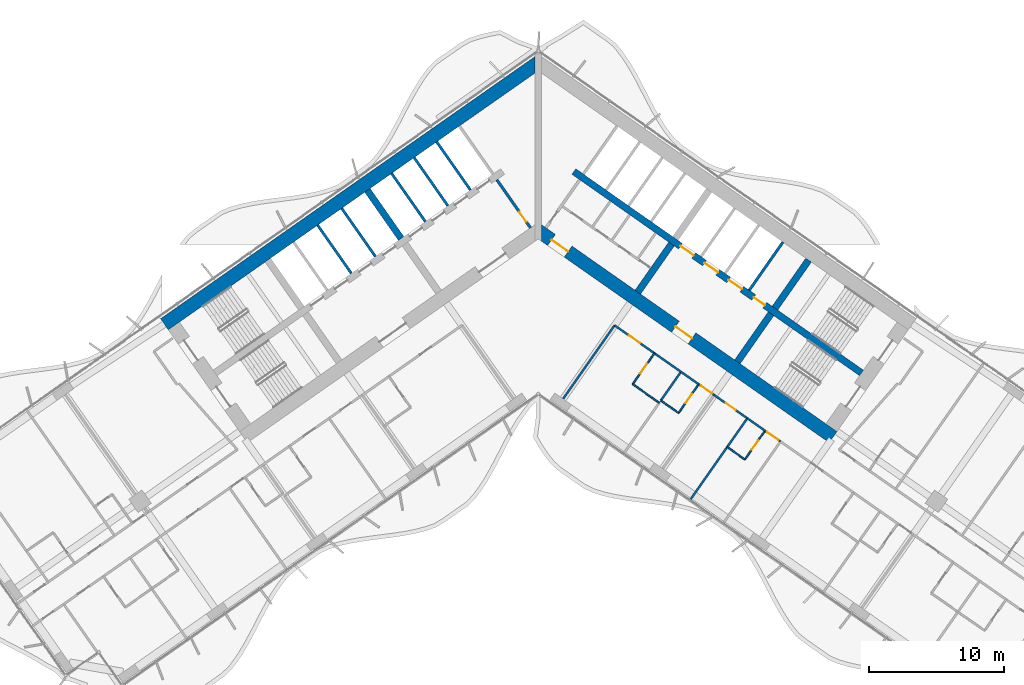
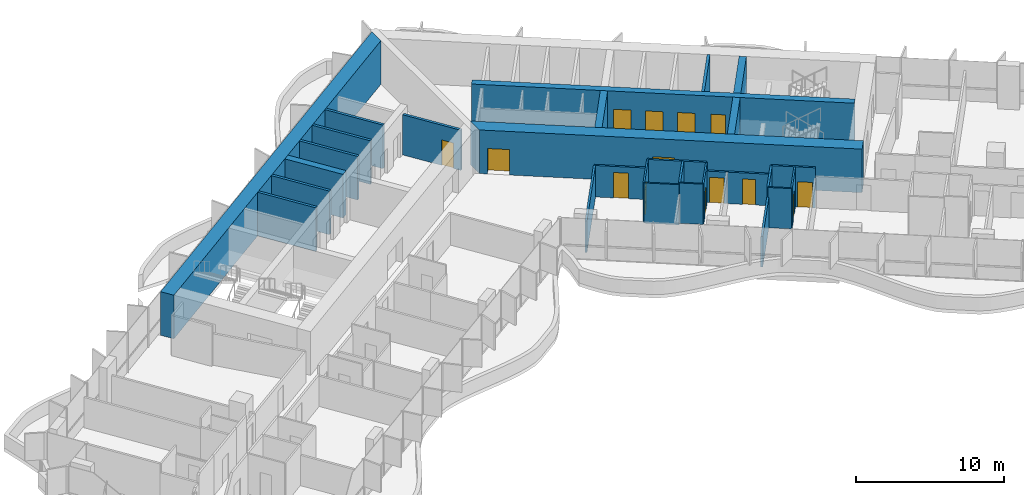
# One storey, part 15 of 24: 31 walls, 14 doors, 14 openings.
"""IFC4 building model written with IfcOpenShell, lengths in metres."""

from ifc_helpers import new_model, si_unit, direction, frame, frame_2d, origin, place, context, subcontext, project, spatial, polyline, rectangle, outline, extrude, material, layer, layer_set, type_object, element, fill, save


model = new_model("IFC4")

# Units and contexts
model_context = context("Model", 3, precision=1e-05, world=origin(), true_north=direction((0.0, 1.0)))
body_context = subcontext(model_context, "Body", "Model", "MODEL_VIEW")
ifc_project = project(units=[si_unit("LENGTHUNIT", "METRE"), si_unit("AREAUNIT", "SQUARE_METRE"), si_unit("VOLUMEUNIT", "CUBIC_METRE"), si_unit("PLANEANGLEUNIT", "RADIAN"), si_unit("MASSUNIT", "GRAM", prefix="KILO")], contexts=[model_context])

# Site, building, storey
site_placement = place(None, origin())
site = spatial("IfcSite", under=ifc_project, at=site_placement, CompositionType="ELEMENT")
building_placement = place(site_placement, origin())
building = spatial("IfcBuilding", under=site, at=building_placement, Name="Tel Ilan Convention Tower", CompositionType="ELEMENT")
storey_placement = place(building_placement, frame((0.0, 0.0, 68.89990234375)))
storey = spatial("IfcBuildingStorey", under=building, at=storey_placement, Name="L12", CompositionType="ELEMENT", Elevation=68.89990234375)

# Wall, opening, door
ifc_material_1 = material(Name="Concrete C30/37", Category="concrete")
ifc_layer_1 = layer(ifc_material_1, 0.199951171875)
ifc_layer_set_1 = layer_set([ifc_layer_1], Name="Core Service Room Wall 200 mm C30/37")
wall_type_1 = type_object("IfcWallType", Name="Core Service Room Wall 200 mm C30/37", PredefinedType="SOLIDWALL", material=ifc_layer_set_1)
wall_1_placement = place(storey_placement, frame((-0.573486328125, -0.401611328125, 0.0), z_axis=(0.0, 0.0, 1.0), x_axis=(-0.57356780395, 0.819158088694, 0.0)))
wall_1 = element("IfcWall", 1, at=wall_1_placement, inside=storey, type_object=wall_type_1, Name="L12 core wall apex-W", PredefinedType="SOLIDWALL", context=body_context, shape_type="SweptSolid", body=[
    extrude(rectangle(XDim=4.35009765625, YDim=0.199951171875, at=frame_2d((2.175048828125, 0.0))), origin(), (0.0, 0.0, 1.0), 3.320068359375),
])
opening_1_placement = place(wall_1_placement, frame((0.550048828125, 0.0, 0.0)))
opening_1 = element("IfcOpeningElement", 2, at=opening_1_placement, cuts=wall_1, Name="Opening CD1202", PredefinedType="OPENING", context=body_context, shape_type="SweptSolid", body=[
    extrude(rectangle(XDim=0.89990234375, YDim=2.10009765625, at=frame_2d((0.449951171875, 1.050048828125))), frame((0.0, 0.10986328125, 0.0), z_axis=(0.0, -1.0, 0.0), x_axis=(1.0, 0.0, 0.0)), (0.0, 0.0, 1.0), 0.219970703125),
])
ifc_material_2 = material(Name="Galvanised Steel Door Leaf", Category="steel")
door_type_1 = type_object("IfcDoorType", Name="Service Room Door 900 x 2100 FD60", OperationType="NOTDEFINED", PredefinedType="DOOR", material=ifc_material_2)
door_1_placement = place(opening_1_placement, origin())
door_1 = element("IfcDoor", 3, at=door_1_placement, inside=storey, type_object=door_type_1, Name="Telecom Room door", OperationType="SINGLE_SWING_RIGHT", OverallHeight=2.10009765625, OverallWidth=0.89990234375, PredefinedType="DOOR", context=body_context, shape_type="SweptSolid", body=[
    extrude(rectangle(XDim=0.89990234375, YDim=2.10009765625, at=frame_2d((0.449951171875, 1.050048828125))), frame((0.0, 0.02490234375, 0.0), z_axis=(0.0, -1.0, 0.0), x_axis=(1.0, 0.0, 0.0)), (0.0, 0.0, 1.0), 0.050048828125),
])
fill(opening_1, door_1)

# Wall
ifc_material_3 = material(Name="Concrete C60/75", Category="concrete")
ifc_layer_2 = layer(ifc_material_3, 1.0)
ifc_layer_set_2 = layer_set([ifc_layer_2], Name="Core Shear Wall 1000 mm C60/75")
wall_type_2 = type_object("IfcWallType", Name="Core Shear Wall 1000 mm C60/75", PredefinedType="SHEAR", material=ifc_layer_set_2)
wall_2_placement = place(storey_placement, frame((0.036865234375, 11.8671875, 0.0), z_axis=(0.0, 0.0, 1.0), x_axis=(-0.819155306259, -0.573571777746, 0.0)))
element("IfcWall", 4, at=wall_2_placement, inside=storey, type_object=wall_type_2, Name="L12 core wall W-back", PredefinedType="SHEAR", context=body_context, shape_type="SweptSolid", body=[
    extrude(outline(polyline([(33.8369140625, 0.5), (0.7001953125, 0.499755859375), (0.0, -0.5), (33.8369140625, -0.5), (33.8369140625, 0.5)])), origin(), (0.0, 0.0, 1.0), 3.60009765625),
])

# Wall, openings, doors
wall_3_placement = place(storey_placement, frame((-0.036865234375, -0.584716796875, 0.0), z_axis=(0.0, 0.0, 1.0), x_axis=(0.819157152511, -0.573569140985, 0.0)))
wall_3 = element("IfcWall", 5, at=wall_3_placement, inside=storey, type_object=wall_type_2, Name="L12 core wall E-front", PredefinedType="SHEAR", context=body_context, shape_type="SweptSolid", body=[
    extrude(outline(polyline([(26.69482421875, 0.499755859375), (0.0, 0.5), (0.7001953125, -0.499755859375), (26.69482421875, -0.500244140625), (26.69482421875, 0.499755859375)])), origin(), (0.0, 0.0, 1.0), 3.60009765625),
])
opening_2_placement = place(wall_3_placement, frame((1.244873046875, 0.0, 0.0)))
opening_2 = element("IfcOpeningElement", 6, at=opening_2_placement, cuts=wall_3, Name="Opening CD1203", PredefinedType="OPENING", context=body_context, shape_type="SweptSolid", body=[
    extrude(rectangle(XDim=1.5, YDim=2.10009765625, at=frame_2d((0.75, 1.050048828125))), frame((0.0, 0.510009765625, 0.0), z_axis=(0.0, -1.0, 0.0), x_axis=(1.0, 0.0, 0.0)), (0.0, 0.0, 1.0), 1.02001953125),
])
opening_3_placement = place(wall_3_placement, frame((12.44482421875, 0.0, 0.0)))
opening_3 = element("IfcOpeningElement", 7, at=opening_3_placement, cuts=wall_3, Name="Opening CD1204", PredefinedType="OPENING", context=body_context, shape_type="SweptSolid", body=[
    extrude(rectangle(XDim=1.5, YDim=2.10009765625, at=frame_2d((0.75, 1.050048828125))), frame((0.0, 0.510009765625, 0.0), z_axis=(0.0, -1.0, 0.0), x_axis=(1.0, 0.0, 0.0)), (0.0, 0.0, 1.0), 1.02001953125),
])
ifc_material_4 = material(Name="Glazed Aluminium Door Leaf", Category="aluminium")
door_type_2 = type_object("IfcDoorType", Name="Lobby Opening Door 1500 x 2100 FD60S", OperationType="NOTDEFINED", PredefinedType="DOOR", material=ifc_material_4)
door_2_placement = place(opening_3_placement, origin())
door_2 = element("IfcDoor", 8, at=door_2_placement, inside=storey, type_object=door_type_2, Name="Firefighting Lobby door", OperationType="DOUBLE_DOOR_SINGLE_SWING", OverallHeight=2.10009765625, OverallWidth=1.5, PredefinedType="DOOR", context=body_context, shape_type="SweptSolid", body=[
    extrude(rectangle(XDim=1.5, YDim=2.10009765625, at=frame_2d((0.75, 1.050048828125))), frame((0.0, 0.02490234375, 0.0), z_axis=(0.0, -1.0, 0.0), x_axis=(1.0, 0.0, 0.0)), (0.0, 0.0, 1.0), 0.050048828125),
])
fill(opening_3, door_2)
ifc_material_5 = material(Name="Laminated Timber Door Leaf", Category="wood")
door_type_3 = type_object("IfcDoorType", Name="Toilet Door 1500 x 2100 FD30S", OperationType="NOTDEFINED", PredefinedType="DOOR", material=ifc_material_5)
door_3_placement = place(opening_2_placement, origin())
door_3 = element("IfcDoor", 9, at=door_3_placement, inside=storey, type_object=door_type_3, Name="WC Lobby door", OperationType="SINGLE_SWING_RIGHT", OverallHeight=2.10009765625, OverallWidth=1.5, PredefinedType="DOOR", context=body_context, shape_type="SweptSolid", body=[
    extrude(rectangle(XDim=1.5, YDim=2.10009765625, at=frame_2d((0.75, 1.050048828125))), frame((0.0, 0.02490234375, 0.0), z_axis=(0.0, -1.0, 0.0), x_axis=(1.0, 0.0, 0.0)), (0.0, 0.0, 1.0), 0.050048828125),
])
fill(opening_2, door_3)

# Walls
ifc_material_6 = material(Name="Concrete C60/75", Category="concrete")
ifc_layer_3 = layer(ifc_material_6, 0.5)
ifc_layer_set_3 = layer_set([ifc_layer_3], Name="Core Shear Wall 500 mm C60/75")
wall_type_3 = type_object("IfcWallType", Name="Core Shear Wall 500 mm C60/75", PredefinedType="SHEAR", material=ifc_layer_set_3)
wall_4_placement = place(storey_placement, frame((-10.154296875, -1.189208984375, 0.0), z_axis=(0.0, 0.0, 1.0), x_axis=(-0.573594173421, 0.819139624372, 0.0)))
element("IfcWall", 10, at=wall_4_placement, inside=storey, type_object=wall_type_3, Name="L12 core wall W-cross1-2", PredefinedType="SHEAR", context=body_context, shape_type="SweptSolid", body=[
    extrude(outline(polyline([(4.349853515625, -0.25), (4.349853515625, 0.25), (-0.000244140625, 0.25), (-0.000244140625, -0.25), (4.349853515625, -0.25)])), origin(), (0.0, 0.0, 1.0), 3.60009765625),
])
wall_5_placement = place(storey_placement, frame((7.372314453125, -5.162109375, 0.0), z_axis=(0.0, 0.0, 1.0), x_axis=(0.573594173421, 0.819139624372, 0.0)))
element("IfcWall", 11, at=wall_5_placement, inside=storey, type_object=wall_type_3, Name="L12 core wall E-cross1-1", PredefinedType="SHEAR", context=body_context, shape_type="SweptSolid", body=[
    extrude(outline(polyline([(0.0, 0.25), (0.0, -0.250244140625), (4.349853515625, -0.25), (4.349853515625, 0.25), (0.0, 0.25)])), origin(), (0.0, 0.0, 1.0), 3.60009765625),
])
wall_6_placement = place(storey_placement, frame((14.74462890625, -10.324462890625, 0.0), z_axis=(0.0, 0.0, 1.0), x_axis=(0.57356780395, 0.819158088694, 0.0)))
element("IfcWall", 12, at=wall_6_placement, inside=storey, type_object=wall_type_3, Name="L12 core wall E-cross2-1", PredefinedType="SHEAR", context=body_context, shape_type="SweptSolid", body=[
    extrude(outline(polyline([(0.0, 0.25), (0.0, -0.25), (4.35009765625, -0.250244140625), (4.35009765625, 0.25), (0.0, 0.25)])), origin(), (0.0, 0.0, 1.0), 3.60009765625),
])
wall_7_placement = place(storey_placement, frame((17.526611328125, -6.3515625, 0.0), z_axis=(0.0, 0.0, 1.0), x_axis=(0.573530143085, 0.819184457233, 0.0)))
element("IfcWall", 13, at=wall_7_placement, inside=storey, type_object=wall_type_3, Name="L12 core wall E-cross2-2", PredefinedType="SHEAR", context=body_context, shape_type="SweptSolid", body=[
    extrude(outline(polyline([(4.35009765625, -0.250244140625), (4.35009765625, 0.249755859375), (0.0, 0.25), (0.0, -0.25), (4.35009765625, -0.250244140625)])), origin(), (0.0, 0.0, 1.0), 3.60009765625),
])

# Wall, openings, doors
wall_8_placement = place(storey_placement, frame((2.638427734375, 3.76806640625, 0.0), z_axis=(0.0, 0.0, 1.0), x_axis=(0.819148977158, -0.573580816643, 0.0)))
wall_8 = element("IfcWall", 14, at=wall_8_placement, inside=storey, type_object=wall_type_3, Name="L12 core wall E-spine", PredefinedType="SHEAR", context=body_context, shape_type="SweptSolid", body=[
    extrude(outline(polyline([(0.0, 0.25), (0.0, -0.25), (26.0, -0.249755859375), (26.0, 0.250244140625), (0.0, 0.25)])), origin(), (0.0, 0.0, 1.0), 3.60009765625),
])
opening_4_placement = place(wall_8_placement, frame((9.637451171875, 0.0, 0.0)))
opening_4 = element("IfcOpeningElement", 15, at=opening_4_placement, cuts=wall_8, Name="Opening LD1201", PredefinedType="OPENING", context=body_context, shape_type="SweptSolid", body=[
    extrude(rectangle(XDim=1.199951171875, YDim=2.10009765625, at=frame_2d((0.60009765625, 1.050048828125))), frame((0.0, 0.260009765625, 0.0), z_axis=(0.0, -1.0, 0.0), x_axis=(1.0, 0.0, 0.0)), (0.0, 0.0, 1.0), 0.52001953125),
])
opening_5_placement = place(wall_8_placement, frame((11.8125, 0.0, 0.0)))
opening_5 = element("IfcOpeningElement", 16, at=opening_5_placement, cuts=wall_8, Name="Opening LD1202", PredefinedType="OPENING", context=body_context, shape_type="SweptSolid", body=[
    extrude(rectangle(XDim=1.199951171875, YDim=2.10009765625, at=frame_2d((0.60009765625, 1.050048828125))), frame((0.0, 0.260009765625, 0.0), z_axis=(0.0, -1.0, 0.0), x_axis=(1.0, 0.0, 0.0)), (0.0, 0.0, 1.0), 0.52001953125),
])
opening_6_placement = place(wall_8_placement, frame((13.987548828125, 0.0, 0.0)))
opening_6 = element("IfcOpeningElement", 17, at=opening_6_placement, cuts=wall_8, Name="Opening LD1203", PredefinedType="OPENING", context=body_context, shape_type="SweptSolid", body=[
    extrude(rectangle(XDim=1.199951171875, YDim=2.10009765625, at=frame_2d((0.60009765625, 1.050048828125))), frame((0.0, 0.260009765625, 0.0), z_axis=(0.0, -1.0, 0.0), x_axis=(1.0, 0.0, 0.0)), (0.0, 0.0, 1.0), 0.52001953125),
])
opening_7_placement = place(wall_8_placement, frame((16.262451171875, 0.0, 0.0)))
opening_7 = element("IfcOpeningElement", 18, at=opening_7_placement, cuts=wall_8, Name="Opening CD1207", PredefinedType="OPENING", context=body_context, shape_type="SweptSolid", body=[
    extrude(rectangle(XDim=1.0, YDim=2.10009765625, at=frame_2d((0.5, 1.050048828125))), frame((0.0, 0.260009765625, 0.0), z_axis=(0.0, -1.0, 0.0), x_axis=(1.0, 0.0, 0.0)), (0.0, 0.0, 1.0), 0.52001953125),
])
ifc_material_7 = material(Name="Stainless Steel Sliding Door Leaf", Category="steel")
door_type_4 = type_object("IfcDoorType", Name="Lift Landing Door 1200 x 2100 FD120", OperationType="NOTDEFINED", PredefinedType="DOOR", material=ifc_material_7)
door_4_placement = place(opening_4_placement, origin())
door_4 = element("IfcDoor", 19, at=door_4_placement, inside=storey, type_object=door_type_4, Name="Lift FL1 landing door", OperationType="SLIDING_TO_LEFT", OverallHeight=2.10009765625, OverallWidth=1.199951171875, PredefinedType="DOOR", context=body_context, shape_type="SweptSolid", body=[
    extrude(rectangle(XDim=1.199951171875, YDim=2.10009765625, at=frame_2d((0.60009765625, 1.050048828125))), frame((0.0, 0.02490234375, 0.0), z_axis=(0.0, -1.0, 0.0), x_axis=(1.0, 0.0, 0.0)), (0.0, 0.0, 1.0), 0.050048828125),
])
fill(opening_4, door_4)
door_5_placement = place(opening_5_placement, origin())
door_5 = element("IfcDoor", 20, at=door_5_placement, inside=storey, type_object=door_type_4, Name="Lift FL2 landing door", OperationType="SLIDING_TO_RIGHT", OverallHeight=2.10009765625, OverallWidth=1.199951171875, PredefinedType="DOOR", context=body_context, shape_type="SweptSolid", body=[
    extrude(rectangle(XDim=1.199951171875, YDim=2.10009765625, at=frame_2d((0.60009765625, 1.050048828125))), frame((0.0, 0.02490234375, 0.0), z_axis=(0.0, -1.0, 0.0), x_axis=(1.0, 0.0, 0.0)), (0.0, 0.0, 1.0), 0.050048828125),
])
fill(opening_5, door_5)
door_6_placement = place(opening_6_placement, origin())
door_6 = element("IfcDoor", 21, at=door_6_placement, inside=storey, type_object=door_type_4, Name="Lift FL3 landing door", OperationType="SLIDING_TO_LEFT", OverallHeight=2.10009765625, OverallWidth=1.199951171875, PredefinedType="DOOR", context=body_context, shape_type="SweptSolid", body=[
    extrude(rectangle(XDim=1.199951171875, YDim=2.10009765625, at=frame_2d((0.60009765625, 1.050048828125))), frame((0.0, 0.02490234375, 0.0), z_axis=(0.0, -1.0, 0.0), x_axis=(1.0, 0.0, 0.0)), (0.0, 0.0, 1.0), 0.050048828125),
])
fill(opening_6, door_6)
ifc_material_8 = material(Name="Galvanised Steel Door Leaf", Category="steel")
door_type_5 = type_object("IfcDoorType", Name="Service Room Door 1000 x 2100 FD60", OperationType="NOTDEFINED", PredefinedType="DOOR", material=ifc_material_8)
door_7_placement = place(opening_7_placement, origin())
door_7 = element("IfcDoor", 22, at=door_7_placement, inside=storey, type_object=door_type_5, Name="Plant Room door", OperationType="SINGLE_SWING_RIGHT", OverallHeight=2.10009765625, OverallWidth=1.0, PredefinedType="DOOR", context=body_context, shape_type="SweptSolid", body=[
    extrude(rectangle(XDim=1.0, YDim=2.10009765625, at=frame_2d((0.5, 1.050048828125))), frame((0.0, 0.02490234375, 0.0), z_axis=(0.0, -1.0, 0.0), x_axis=(1.0, 0.0, 0.0)), (0.0, 0.0, 1.0), 0.050048828125),
])
fill(opening_7, door_7)

# Wall, opening, door
ifc_material_9 = material(Name="Plasterboard on Steel Studs", Category="steel")
ifc_layer_4 = layer(ifc_material_9, 0.14990234375)
ifc_layer_set_4 = layer_set([ifc_layer_4], Name="Fire-rated Partition 150 EI 60")
wall_type_4 = type_object("IfcWallType", Name="Fire-rated Partition 150 EI 60", PredefinedType="PARTITIONING", material=ifc_layer_set_4)
wall_9_placement = place(storey_placement, frame((8.601318359375, -9.68505859375, 0.0), z_axis=(0.0, 0.0, 1.0), x_axis=(-0.819149096931, 0.573580645591, 0.0)))
wall_9 = element("IfcWall", 23, at=wall_9_placement, inside=storey, type_object=wall_type_4, Name="Partition 007", PredefinedType="PARTITIONING", context=body_context, shape_type="SweptSolid", body=[
    extrude(rectangle(XDim=3.600830078125, YDim=0.14990234375, at=frame_2d((1.80029296875, 0.0))), origin(), (0.0, 0.0, 1.0), 2.60009765625),
])
opening_8_placement = place(wall_9_placement, frame((1.301025390625, 0.0, 0.0)))
opening_8 = element("IfcOpeningElement", 24, at=opening_8_placement, cuts=wall_9, Name="Opening L11-020", PredefinedType="OPENING", context=body_context, shape_type="SweptSolid", body=[
    extrude(rectangle(XDim=1.0, YDim=2.10009765625, at=frame_2d((0.5, 1.050048828125))), frame((0.0, 0.0849609375, 0.0), z_axis=(0.0, -1.0, 0.0), x_axis=(1.0, 0.0, 0.0)), (0.0, 0.0, 1.0), 0.169921875),
])
ifc_material_10 = material(Name="Timber Door Leaf in Steel Frame", Category="steel")
door_type_6 = type_object("IfcDoorType", Name="Hotel Room Entrance Fire Door 1000x2100", OperationType="NOTDEFINED", PredefinedType="DOOR", material=ifc_material_10)
door_8_placement = place(opening_8_placement, origin())
door_8 = element("IfcDoor", 25, at=door_8_placement, inside=storey, type_object=door_type_6, Name="Door L11-020", OperationType="SINGLE_SWING_RIGHT", OverallHeight=2.10009765625, OverallWidth=1.0, PredefinedType="DOOR", context=body_context, shape_type="SweptSolid", body=[
    extrude(rectangle(XDim=1.0, YDim=2.10009765625, at=frame_2d((0.5, 1.050048828125))), frame((0.0, 0.02490234375, 0.0), z_axis=(0.0, -1.0, 0.0), x_axis=(1.0, 0.0, 0.0)), (0.0, 0.0, 1.0), 0.050048828125),
])
fill(opening_8, door_8)

# Wall
wall_10_placement = place(storey_placement, frame((10.568115234375, -11.062255859375, 0.0), z_axis=(0.0, 0.0, 1.0), x_axis=(-0.819146032251, 0.573585022335, 0.0)))
element("IfcWall", 26, at=wall_10_placement, inside=storey, type_object=wall_type_4, Name="Partition 008", PredefinedType="PARTITIONING", context=body_context, shape_type="SweptSolid", body=[
    extrude(rectangle(XDim=2.404052734375, YDim=0.14990234375, at=frame_2d((1.2021484375, 0.0))), origin(), (0.0, 0.0, 1.0), 3.320068359375),
])

# Wall, opening, door
wall_11_placement = place(storey_placement, frame((13.025634765625, -12.782958984375, 0.0), z_axis=(0.0, 0.0, 1.0), x_axis=(-0.81914197737, 0.573590813132, 0.0)))
wall_11 = element("IfcWall", 27, at=wall_11_placement, inside=storey, type_object=wall_type_4, Name="Partition 009", PredefinedType="PARTITIONING", context=body_context, shape_type="SweptSolid", body=[
    extrude(rectangle(XDim=1.40283203125, YDim=0.14990234375, at=frame_2d((0.701416015625, 0.0))), origin(), (0.0, 0.0, 1.0), 2.60009765625),
])
opening_9_placement = place(wall_11_placement, frame((0.201904296875, 0.0, 0.0)))
opening_9 = element("IfcOpeningElement", 28, at=opening_9_placement, cuts=wall_11, Name="Opening L11-022", PredefinedType="OPENING", context=body_context, shape_type="SweptSolid", body=[
    extrude(rectangle(XDim=1.0, YDim=2.10009765625, at=frame_2d((0.5, 1.050048828125))), frame((0.0, 0.0849609375, 0.0), z_axis=(0.0, -1.0, 0.0), x_axis=(1.0, 0.0, 0.0)), (0.0, 0.0, 1.0), 0.169921875),
])
door_9_placement = place(opening_9_placement, origin())
door_9 = element("IfcDoor", 29, at=door_9_placement, inside=storey, type_object=door_type_6, Name="Door L11-022", OperationType="SINGLE_SWING_LEFT", OverallHeight=2.10009765625, OverallWidth=1.0, PredefinedType="DOOR", context=body_context, shape_type="SweptSolid", body=[
    extrude(rectangle(XDim=1.0, YDim=2.10009765625, at=frame_2d((0.5, 1.050048828125))), frame((0.0, 0.02490234375, 0.0), z_axis=(0.0, -1.0, 0.0), x_axis=(1.0, 0.0, 0.0)), (0.0, 0.0, 1.0), 0.050048828125),
])
fill(opening_9, door_9)

# Wall
wall_12_placement = place(storey_placement, frame((11.87890625, -11.97998046875, 0.0), z_axis=(0.0, 0.0, 1.0), x_axis=(-0.819189013667, 0.573523634986, 0.0)))
element("IfcWall", 30, at=wall_12_placement, inside=storey, type_object=wall_type_4, Name="Partition 010", PredefinedType="PARTITIONING", context=body_context, shape_type="SweptSolid", body=[
    extrude(rectangle(XDim=1.60400390625, YDim=0.14990234375, at=frame_2d((0.802001953125, 0.0))), origin(), (0.0, 0.0, 1.0), 3.320068359375),
])

# Wall, opening, door
wall_13_placement = place(storey_placement, frame((15.483154296875, -14.503662109375, 0.0), z_axis=(0.0, 0.0, 1.0), x_axis=(-0.81916700466, 0.573555070134, 0.0)))
wall_13 = element("IfcWall", 31, at=wall_13_placement, inside=storey, type_object=wall_type_4, Name="Partition 011", PredefinedType="PARTITIONING", context=body_context, shape_type="SweptSolid", body=[
    extrude(rectangle(XDim=3.00390625, YDim=0.14990234375, at=frame_2d((1.501953125, 0.0))), origin(), (0.0, 0.0, 1.0), 2.60009765625),
])
opening_10_placement = place(wall_13_placement, frame((1.052001953125, 0.0, 0.0)))
opening_10 = element("IfcOpeningElement", 32, at=opening_10_placement, cuts=wall_13, Name="Opening L11-023", PredefinedType="OPENING", context=body_context, shape_type="SweptSolid", body=[
    extrude(rectangle(XDim=0.89990234375, YDim=2.10009765625, at=frame_2d((0.449951171875, 1.050048828125))), frame((0.0, 0.0849609375, 0.0), z_axis=(0.0, -1.0, 0.0), x_axis=(1.0, 0.0, 0.0)), (0.0, 0.0, 1.0), 0.169921875),
])
ifc_material_11 = material(Name="Timber Door Leaf in Steel Frame", Category="steel")
door_type_7 = type_object("IfcDoorType", Name="Room Fire Door 900x2100", OperationType="NOTDEFINED", PredefinedType="DOOR", material=ifc_material_11)
door_10_placement = place(opening_10_placement, origin())
door_10 = element("IfcDoor", 33, at=door_10_placement, inside=storey, type_object=door_type_7, Name="Door L11-023", OperationType="SINGLE_SWING_RIGHT", OverallHeight=2.10009765625, OverallWidth=0.89990234375, PredefinedType="DOOR", context=body_context, shape_type="SweptSolid", body=[
    extrude(rectangle(XDim=0.89990234375, YDim=2.10009765625, at=frame_2d((0.449951171875, 1.050048828125))), frame((0.0, 0.02490234375, 0.0), z_axis=(0.0, -1.0, 0.0), x_axis=(1.0, 0.0, 0.0)), (0.0, 0.0, 1.0), 0.050048828125),
])
fill(opening_10, door_10)

wall_14_placement = place(storey_placement, frame((17.940673828125, -16.224365234375, 0.0), z_axis=(0.0, 0.0, 1.0), x_axis=(-0.819199220913, 0.573509055252, 0.0)))
wall_14 = element("IfcWall", 34, at=wall_14_placement, inside=storey, type_object=wall_type_4, Name="Partition 012", PredefinedType="PARTITIONING", context=body_context, shape_type="SweptSolid", body=[
    extrude(rectangle(XDim=1.403076171875, YDim=0.14990234375, at=frame_2d((0.70166015625, 0.0))), origin(), (0.0, 0.0, 1.0), 3.320068359375),
])
opening_11_placement = place(wall_14_placement, frame((0.201904296875, 0.0, 0.0)))
opening_11 = element("IfcOpeningElement", 35, at=opening_11_placement, cuts=wall_14, Name="Opening L11-025", PredefinedType="OPENING", context=body_context, shape_type="SweptSolid", body=[
    extrude(rectangle(XDim=1.0, YDim=2.10009765625, at=frame_2d((0.5, 1.050048828125))), frame((0.0, 0.0849609375, 0.0), z_axis=(0.0, -1.0, 0.0), x_axis=(1.0, 0.0, 0.0)), (0.0, 0.0, 1.0), 0.169921875),
])
door_11_placement = place(opening_11_placement, origin())
door_11 = element("IfcDoor", 36, at=door_11_placement, inside=storey, type_object=door_type_6, Name="Door L11-025", OperationType="SINGLE_SWING_RIGHT", OverallHeight=2.10009765625, OverallWidth=1.0, PredefinedType="DOOR", context=body_context, shape_type="SweptSolid", body=[
    extrude(rectangle(XDim=1.0, YDim=2.10009765625, at=frame_2d((0.5, 1.050048828125))), frame((0.0, 0.02490234375, 0.0), z_axis=(0.0, -1.0, 0.0), x_axis=(1.0, 0.0, 0.0)), (0.0, 0.0, 1.0), 0.050048828125),
])
fill(opening_11, door_11)

# Walls
wall_15_placement = place(storey_placement, frame((16.793701171875, -15.42138671875, 0.0), z_axis=(0.0, 0.0, 1.0), x_axis=(-0.819189013667, 0.573523634986, 0.0)))
element("IfcWall", 37, at=wall_15_placement, inside=storey, type_object=wall_type_4, Name="Partition 013", PredefinedType="PARTITIONING", context=body_context, shape_type="SweptSolid", body=[
    extrude(rectangle(XDim=1.60400390625, YDim=0.14990234375, at=frame_2d((0.802001953125, 0.0))), origin(), (0.0, 0.0, 1.0), 3.320068359375),
])
wall_16_placement = place(storey_placement, frame((1.848876953125, -13.050537109375, 0.0), z_axis=(0.0, 0.0, 1.0), x_axis=(0.57357355307, 0.819154063177, 0.0)))
element("IfcWall", 38, at=wall_16_placement, inside=storey, type_object=wall_type_4, Name="Partition 055", PredefinedType="PARTITIONING", context=body_context, shape_type="SweptSolid", body=[
    extrude(rectangle(XDim=6.6298828125, YDim=0.14990234375, at=frame_2d((3.31494140625, 0.0))), origin(), (0.0, 0.0, 1.0), 2.60009765625),
])
wall_17_placement = place(storey_placement, frame((10.566650390625, -11.06103515625, 0.0), z_axis=(0.0, 0.0, 1.0), x_axis=(-0.573588285102, -0.819143747577, 0.0)))
element("IfcWall", 39, at=wall_17_placement, inside=storey, type_object=wall_type_4, Name="Partition 056", PredefinedType="PARTITIONING", context=body_context, shape_type="SweptSolid", body=[
    extrude(rectangle(XDim=2.601806640625, YDim=0.14990234375, at=frame_2d((1.30078125, 0.0))), origin(), (0.0, 0.0, 1.0), 3.320068359375),
])
wall_18_placement = place(storey_placement, frame((13.99072265625, -16.631591796875, 0.0), z_axis=(0.0, 0.0, 1.0), x_axis=(-0.573563420358, -0.819161158032, 0.0)))
element("IfcWall", 40, at=wall_18_placement, inside=storey, type_object=wall_type_4, Name="Partition 060", PredefinedType="PARTITIONING", context=body_context, shape_type="SweptSolid", body=[
    extrude(rectangle(XDim=4.700927734375, YDim=0.14990234375, at=frame_2d((2.3505859375, 0.0))), origin(), (0.0, 0.0, 1.0), 2.5),
])
wall_19_placement = place(storey_placement, frame((15.4814453125, -14.502685546875, 0.0), z_axis=(0.0, 0.0, 1.0), x_axis=(-0.573588285102, -0.819143747577, 0.0)))
element("IfcWall", 41, at=wall_19_placement, inside=storey, type_object=wall_type_4, Name="Partition 061", PredefinedType="PARTITIONING", context=body_context, shape_type="SweptSolid", body=[
    extrude(rectangle(XDim=2.601806640625, YDim=0.14990234375, at=frame_2d((1.30078125, 0.0))), origin(), (0.0, 0.0, 1.0), 3.320068359375),
])
ifc_material_12 = material(Name="Concrete C30/37", Category="concrete")
ifc_layer_5 = layer(ifc_material_12, 0.199951171875)
ifc_layer_set_5 = layer_set([ifc_layer_5], Name="Lift Shaft Wall 200 mm C30/37")
wall_type_5 = type_object("IfcWallType", Name="Lift Shaft Wall 200 mm C30/37", PredefinedType="SOLIDWALL", material=ifc_layer_set_5)
wall_20_placement = place(storey_placement, frame((-5.0244140625, 2.402587890625, 0.0), z_axis=(0.0, 0.0, 1.0), x_axis=(-0.573530143085, 0.819184457233, 0.0)))
element("IfcWall", 42, at=wall_20_placement, inside=storey, type_object=wall_type_5, Name="L12 core wall bank-W1-p0", PredefinedType="SOLIDWALL", context=body_context, shape_type="SweptSolid", body=[
    extrude(rectangle(XDim=4.35009765625, YDim=0.199951171875, at=frame_2d((2.175048828125, 0.0))), origin(), (0.0, 0.0, 1.0), 3.60009765625),
])
for number, where, z_axis, x_axis, name in (
    (43, (-6.693359375, 1.234130859375, 0.0), (0.0, 0.0, 1.0), (-0.573594173421, 0.819139624372, 0.0), "L12 core wall bank-W1-p1"),
    (44, (-8.3623046875, 0.0654296875, 0.0), (0.0, 0.0, 1.0), (-0.573594173421, 0.819139624372, 0.0), "L12 core wall bank-W1-p2"),
    (45, (-12.05859375, -2.52294921875, 0.0), (0.0, 0.0, 1.0), (-0.573594173421, 0.819139624372, 0.0), "L12 core wall bank-W2-p0"),
):
    element("IfcWall", number, at=place(storey_placement, frame(where, z_axis=z_axis, x_axis=x_axis)), inside=storey, type_object=wall_type_5, Name=name, PredefinedType="SOLIDWALL", context=body_context, shape_type="SweptSolid", body=[
        extrude(rectangle(XDim=4.349853515625, YDim=0.199951171875, at=frame_2d((2.1748046875, 0.0))), origin(), (0.0, 0.0, 1.0), 3.60009765625),
    ])
wall_21_placement = place(storey_placement, frame((-13.84033203125, -3.7705078125, 0.0), z_axis=(0.0, 0.0, 1.0), x_axis=(-0.57356780395, 0.819158088694, 0.0)))
element("IfcWall", 46, at=wall_21_placement, inside=storey, type_object=wall_type_5, Name="L12 core wall bank-W2-p1", PredefinedType="SOLIDWALL", context=body_context, shape_type="SweptSolid", body=[
    extrude(rectangle(XDim=4.35009765625, YDim=0.199951171875, at=frame_2d((2.175048828125, 0.0))), origin(), (0.0, 0.0, 1.0), 3.60009765625),
])
wall_22_placement = place(storey_placement, frame((15.6220703125, -5.017822265625, 0.0), z_axis=(0.0, 0.0, 1.0), x_axis=(0.573594173421, 0.819139624372, 0.0)))
element("IfcWall", 47, at=wall_22_placement, inside=storey, type_object=wall_type_5, Name="L12 core wall bank-E2-p2", PredefinedType="SOLIDWALL", context=body_context, shape_type="SweptSolid", body=[
    extrude(rectangle(XDim=4.349853515625, YDim=0.199951171875, at=frame_2d((2.1748046875, 0.0))), origin(), (0.0, 0.0, 1.0), 3.60009765625),
])

# Wall, opening, door
ifc_material_13 = material(Name="Plasterboard on Steel Studs", Category="steel")
ifc_layer_6 = layer(ifc_material_13, 0.1201171875)
ifc_layer_set_6 = layer_set([ifc_layer_6], Name="Moisture-resistant Partition 120")
wall_type_6 = type_object("IfcWallType", Name="Moisture-resistant Partition 120", PredefinedType="PARTITIONING", material=ifc_layer_set_6)
wall_23_placement = place(storey_placement, frame((8.599853515625, -9.683837890625, 0.0), z_axis=(0.0, 0.0, 1.0), x_axis=(-0.573550118428, -0.819170471667, 0.0)))
wall_23 = element("IfcWall", 48, at=wall_23_placement, inside=storey, type_object=wall_type_6, Name="Partition 052", PredefinedType="PARTITIONING", context=body_context, shape_type="SweptSolid", body=[
    extrude(rectangle(XDim=2.800048828125, YDim=0.1201171875, at=frame_2d((1.39990234375, 0.0))), origin(), (0.0, 0.0, 1.0), 3.320068359375),
])
opening_12_placement = place(wall_23_placement, frame((0.97509765625, 0.0, 0.0)))
opening_12 = element("IfcOpeningElement", 49, at=opening_12_placement, cuts=wall_23, Name="Opening L11-019", PredefinedType="OPENING", context=body_context, shape_type="SweptSolid", body=[
    extrude(rectangle(XDim=0.85009765625, YDim=2.050048828125, at=frame_2d((0.425048828125, 1.02490234375))), frame((0.0, 0.070068359375, 0.0), z_axis=(0.0, -1.0, 0.0), x_axis=(1.0, 0.0, 0.0)), (0.0, 0.0, 1.0), 0.14013671875),
])
ifc_material_14 = material(Name="Timber Door Leaf in Steel Frame", Category="steel")
door_type_8 = type_object("IfcDoorType", Name="Bathroom Timber Door 850x2050", OperationType="NOTDEFINED", PredefinedType="DOOR", material=ifc_material_14)
door_12_placement = place(opening_12_placement, origin())
door_12 = element("IfcDoor", 50, at=door_12_placement, inside=storey, type_object=door_type_8, Name="Door L11-019", OperationType="SINGLE_SWING_LEFT", OverallHeight=2.050048828125, OverallWidth=0.85009765625, PredefinedType="DOOR", context=body_context, shape_type="SweptSolid", body=[
    extrude(rectangle(XDim=0.85009765625, YDim=2.050048828125, at=frame_2d((0.425048828125, 1.02490234375))), frame((0.0, 0.02490234375, 0.0), z_axis=(0.0, -1.0, 0.0), x_axis=(1.0, 0.0, 0.0)), (0.0, 0.0, 1.0), 0.050048828125),
])
fill(opening_12, door_12)

# Walls
wall_24_placement = place(storey_placement, frame((6.993896484375, -11.97900390625, 0.0), z_axis=(0.0, 0.0, 1.0), x_axis=(0.819188907105, -0.573523787192, 0.0)))
element("IfcWall", 51, at=wall_24_placement, inside=storey, type_object=wall_type_6, Name="Partition 053", PredefinedType="PARTITIONING", context=body_context, shape_type="SweptSolid", body=[
    extrude(rectangle(XDim=2.39990234375, YDim=0.1201171875, at=frame_2d((1.199951171875, 0.0))), origin(), (0.0, 0.0, 1.0), 3.320068359375),
])
wall_25_placement = place(storey_placement, frame((9.07470703125, -13.191650390625, 0.0), z_axis=(0.0, 0.0, 1.0), x_axis=(0.819131543282, -0.57360571371, 0.0)))
element("IfcWall", 52, at=wall_25_placement, inside=storey, type_object=wall_type_6, Name="Partition 057", PredefinedType="PARTITIONING", context=body_context, shape_type="SweptSolid", body=[
    extrude(rectangle(XDim=1.599853515625, YDim=0.1201171875, at=frame_2d((0.7998046875, 0.0))), origin(), (0.0, 0.0, 1.0), 3.320068359375),
])

# Wall, opening, door
wall_26_placement = place(storey_placement, frame((10.38671875, -14.109130859375, 0.0), z_axis=(0.0, 0.0, 1.0), x_axis=(0.573582085028, 0.819148089014, 0.0)))
wall_26 = element("IfcWall", 53, at=wall_26_placement, inside=storey, type_object=wall_type_6, Name="Partition 058", PredefinedType="PARTITIONING", context=body_context, shape_type="SweptSolid", body=[
    extrude(rectangle(XDim=2.599853515625, YDim=0.1201171875, at=frame_2d((1.2998046875, 0.0))), origin(), (0.0, 0.0, 1.0), 3.320068359375),
])
opening_13_placement = place(wall_26_placement, frame((0.875, 0.0, 0.0)))
opening_13 = element("IfcOpeningElement", 54, at=opening_13_placement, cuts=wall_26, Name="Opening L11-021", PredefinedType="OPENING", context=body_context, shape_type="SweptSolid", body=[
    extrude(rectangle(XDim=0.85009765625, YDim=2.050048828125, at=frame_2d((0.425048828125, 1.02490234375))), frame((0.0, 0.070068359375, 0.0), z_axis=(0.0, -1.0, 0.0), x_axis=(1.0, 0.0, 0.0)), (0.0, 0.0, 1.0), 0.14013671875),
])
door_13_placement = place(opening_13_placement, origin())
door_13 = element("IfcDoor", 55, at=door_13_placement, inside=storey, type_object=door_type_8, Name="Door L11-021", OperationType="SINGLE_SWING_RIGHT", OverallHeight=2.050048828125, OverallWidth=0.85009765625, PredefinedType="DOOR", context=body_context, shape_type="SweptSolid", body=[
    extrude(rectangle(XDim=0.85009765625, YDim=2.050048828125, at=frame_2d((0.425048828125, 1.02490234375))), frame((0.0, 0.02490234375, 0.0), z_axis=(0.0, -1.0, 0.0), x_axis=(1.0, 0.0, 0.0)), (0.0, 0.0, 1.0), 0.050048828125),
])
fill(opening_13, door_13)

# Wall
wall_27_placement = place(storey_placement, frame((13.989501953125, -16.63330078125, 0.0), z_axis=(0.0, 0.0, 1.0), x_axis=(0.819253425856, -0.573431621227, 0.0)))
element("IfcWall", 56, at=wall_27_placement, inside=storey, type_object=wall_type_6, Name="Partition 062", PredefinedType="PARTITIONING", context=body_context, shape_type="SweptSolid", body=[
    extrude(rectangle(XDim=1.60009765625, YDim=0.1201171875, at=frame_2d((0.800048828125, 0.0))), origin(), (0.0, 0.0, 1.0), 3.320068359375),
])

# Wall, opening, door
wall_28_placement = place(storey_placement, frame((15.301513671875, -17.55078125, 0.0), z_axis=(0.0, 0.0, 1.0), x_axis=(0.573600972199, 0.819134863556, 0.0)))
wall_28 = element("IfcWall", 57, at=wall_28_placement, inside=storey, type_object=wall_type_6, Name="Partition 063", PredefinedType="PARTITIONING", context=body_context, shape_type="SweptSolid", body=[
    extrude(rectangle(XDim=2.60009765625, YDim=0.1201171875, at=frame_2d((1.300048828125, 0.0))), origin(), (0.0, 0.0, 1.0), 3.320068359375),
])
opening_14_placement = place(wall_28_placement, frame((0.875, 0.0, 0.0)))
opening_14 = element("IfcOpeningElement", 58, at=opening_14_placement, cuts=wall_28, Name="Opening L11-024", PredefinedType="OPENING", context=body_context, shape_type="SweptSolid", body=[
    extrude(rectangle(XDim=0.85009765625, YDim=2.050048828125, at=frame_2d((0.425048828125, 1.02490234375))), frame((0.0, 0.070068359375, 0.0), z_axis=(0.0, -1.0, 0.0), x_axis=(1.0, 0.0, 0.0)), (0.0, 0.0, 1.0), 0.14013671875),
])
door_14_placement = place(opening_14_placement, origin())
door_14 = element("IfcDoor", 59, at=door_14_placement, inside=storey, type_object=door_type_8, Name="Door L11-024", OperationType="SINGLE_SWING_LEFT", OverallHeight=2.050048828125, OverallWidth=0.85009765625, PredefinedType="DOOR", context=body_context, shape_type="SweptSolid", body=[
    extrude(rectangle(XDim=0.85009765625, YDim=2.050048828125, at=frame_2d((0.425048828125, 1.02490234375))), frame((0.0, 0.02490234375, 0.0), z_axis=(0.0, -1.0, 0.0), x_axis=(1.0, 0.0, 0.0)), (0.0, 0.0, 1.0), 0.050048828125),
])
fill(opening_14, door_14)

save(model, "model.ifc")
